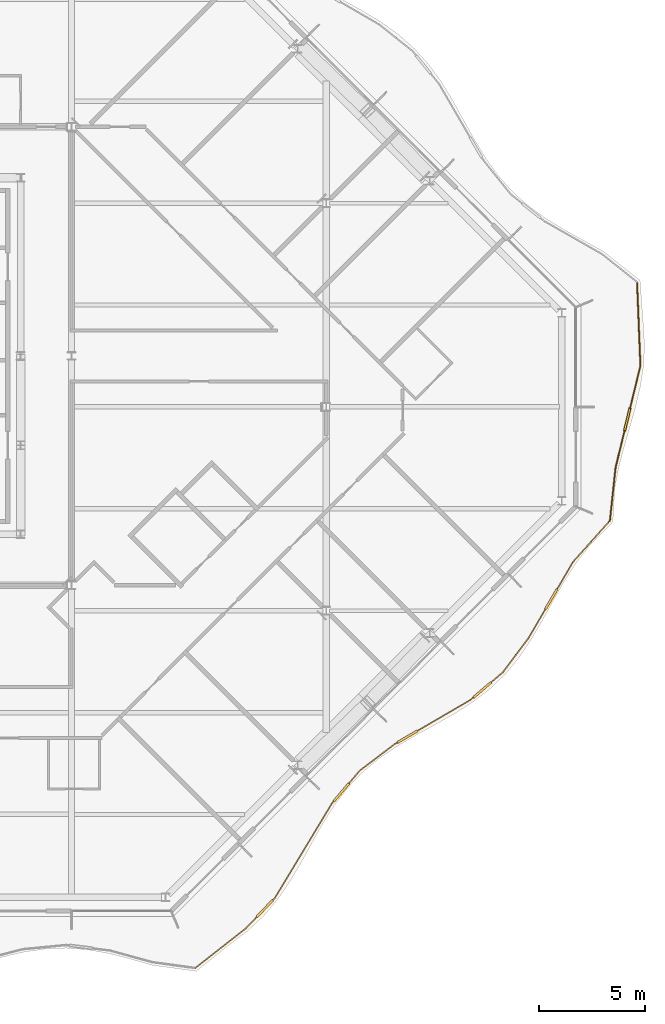
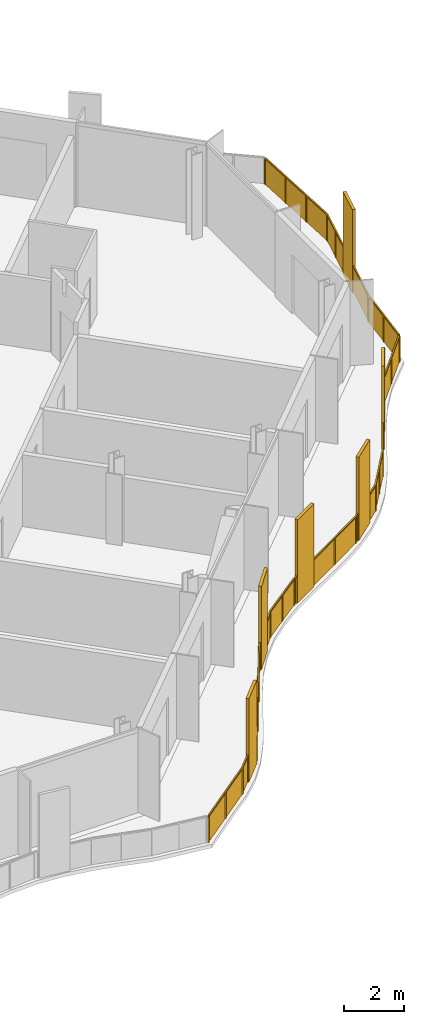
# One storey, part 15 of 17: 2 railings.
"""IFC4 building model written with IfcOpenShell, lengths in metres."""

from ifc_helpers import new_model, si_unit, direction, frame, origin, origin_2d, place, context, subcontext, project, spatial, polyline, rectangle, outline, extrude, material, type_object, element, save


model = new_model("IFC4")

# Units and contexts
model_context = context("Model", 3, precision=1e-05, world=origin(), true_north=direction((0.0, 1.0)))
body_context = subcontext(model_context, "Body", "Model", "MODEL_VIEW")
ifc_project = project(units=[si_unit("LENGTHUNIT", "METRE"), si_unit("AREAUNIT", "SQUARE_METRE"), si_unit("VOLUMEUNIT", "CUBIC_METRE"), si_unit("PLANEANGLEUNIT", "RADIAN"), si_unit("MASSUNIT", "GRAM", prefix="KILO")], contexts=[model_context])

# Site, building, storey
site_placement = place(None, origin())
site = spatial("IfcSite", under=ifc_project, at=site_placement, CompositionType="ELEMENT")
building_placement = place(site_placement, origin())
building = spatial("IfcBuilding", under=site, at=building_placement, Name="Cairn Pilgrim Tower", CompositionType="ELEMENT")
storey_placement = place(building_placement, frame((0.0, 0.0, 246.60009765625)))
storey = spatial("IfcBuildingStorey", under=building, at=storey_placement, Name="L63", CompositionType="ELEMENT", Elevation=246.60009765625)

# Railings
ifc_material = material(Name="Bronze anodised aluminium rail, posts and fin screens with laminated glass infill", Category="aluminium")
railing_type = type_object("IfcRailingType", Name="BALCONY GUARD WITH FIN SCREENS", PredefinedType="GUARDRAIL", material=ifc_material)
railing_1_placement = place(storey_placement, frame((25.030517578125, -26.433349609375, 0.0)))
element("IfcRailing", 1, at=railing_1_placement, inside=storey, type_object=railing_type, Name="Balcony guard BGF-2 with fin screens", PredefinedType="GUARDRAIL", context=body_context, shape_type="SweptSolid", body=[
    extrude(rectangle(XDim=0.050048828125, YDim=0.050048828125, at=origin_2d()), frame((0.0, 0.0, 1.0751953125), z_axis=(0.787027391117, 0.616918054228, 0.0), x_axis=(-0.616918054228, 0.787027391117, 0.0)), (0.0, 0.0, 1.0), 3.032470703125),
    extrude(rectangle(XDim=1.10009765625, YDim=0.110107421875, at=origin_2d()), frame((3.272705078125, 2.801025390625, 0.0), z_axis=(0.0, 0.0, 1.0), x_axis=(0.689673603876, 0.724120376813, 0.0)), (0.0, 0.0, 1.0), 3.39990234375),
    extrude(rectangle(XDim=0.050048828125, YDim=0.050048828125, at=origin_2d()), frame((2.38671875, 1.870849609375, 1.0751953125), z_axis=(0.689673603876, 0.724120376813, 0.0), x_axis=(-0.724120376813, 0.689673603876, 0.0)), (0.0, 0.0, 1.0), 0.734619140625),
    extrude(rectangle(XDim=0.050048828125, YDim=0.050048828125, at=origin_2d()), frame((3.65185546875, 3.19921875, 1.0751953125), z_axis=(0.689673603876, 0.724120376813, 0.0), x_axis=(-0.724120376813, 0.689673603876, 0.0)), (0.0, 0.0, 1.0), 0.14990234375),
    extrude(rectangle(XDim=0.050048828125, YDim=0.050048828125, at=origin_2d()), frame((3.75537109375, 3.307861328125, 1.0751953125), z_axis=(0.516402036809, 0.856346271306, 0.0), x_axis=(-0.856346271306, 0.516402036809, 0.0)), (0.0, 0.0, 1.0), 5.176025390625),
    extrude(rectangle(XDim=1.10009765625, YDim=0.110107421875, at=origin_2d()), frame((6.880859375, 8.274169921875, 0.0), z_axis=(0.0, 0.0, 1.0), x_axis=(0.646556997334, 0.762865682279, 0.0)), (0.0, 0.0, 1.0), 3.39990234375),
    extrude(rectangle(XDim=0.050048828125, YDim=0.050048828125, at=origin_2d()), frame((6.42822265625, 7.740234375, 1.0751953125), z_axis=(0.646556997334, 0.762865682279, 0.0), x_axis=(-0.762865682279, 0.646556997334, 0.0)), (0.0, 0.0, 1.0), 0.14990234375),
    extrude(rectangle(XDim=0.050048828125, YDim=0.050048828125, at=origin_2d()), frame((7.236328125, 8.69384765625, 1.0751953125), z_axis=(0.646556997334, 0.762865682279, 0.0), x_axis=(-0.762865682279, 0.646556997334, 0.0)), (0.0, 0.0, 1.0), 0.796630859375),
    extrude(rectangle(XDim=0.050048828125, YDim=0.050048828125, at=origin_2d()), frame((7.75146484375, 9.301513671875, 1.0751953125), z_axis=(0.796523631749, 0.604607396635, 0.0), x_axis=(-0.604607396635, 0.796523631749, 0.0)), (0.0, 0.0, 1.0), 2.0556640625),
    extrude(rectangle(XDim=1.10009765625, YDim=0.110107421875, at=origin_2d()), frame((9.99365234375, 10.897216796875, 0.0), z_axis=(0.0, 0.0, 1.0), x_axis=(0.863793818224, 0.503845452096, 0.0)), (0.0, 0.0, 1.0), 3.39990234375),
    extrude(rectangle(XDim=0.050048828125, YDim=0.050048828125, at=origin_2d()), frame((9.388916015625, 10.54443359375, 1.0751953125), z_axis=(0.863793818224, 0.503845452096, 0.0), x_axis=(-0.503845452096, 0.863793818224, 0.0)), (0.0, 0.0, 1.0), 0.14990234375),
    extrude(rectangle(XDim=0.050048828125, YDim=0.050048828125, at=origin_2d()), frame((10.46875, 11.17431640625, 1.0751953125), z_axis=(0.863793818224, 0.503845452096, 0.0), x_axis=(-0.503845452096, 0.863793818224, 0.0)), (0.0, 0.0, 1.0), 2.905029296875),
    extrude(rectangle(XDim=1.10009765625, YDim=0.110107421875, at=origin_2d()), frame((13.521728515625, 13.103271484375, 0.0), z_axis=(0.0, 0.0, 1.0), x_axis=(0.759767961962, 0.650194312476, 0.0)), (0.0, 0.0, 1.0), 3.39990234375),
    extrude(rectangle(XDim=0.050048828125, YDim=0.050048828125, at=origin_2d()), frame((12.97802734375, 12.637939453125, 1.0751953125), z_axis=(0.759767961962, 0.650194312476, 0.0), x_axis=(-0.650194312476, 0.759767961962, 0.0)), (0.0, 0.0, 1.0), 0.165771484375),
    extrude(rectangle(XDim=0.050048828125, YDim=0.050048828125, at=origin_2d()), frame((13.939697265625, 13.4609375, 1.0751953125), z_axis=(0.759767961962, 0.650194312476, 0.0), x_axis=(-0.650194312476, 0.759767961962, 0.0)), (0.0, 0.0, 1.0), 0.7216796875),
    extrude(rectangle(XDim=0.050048828125, YDim=0.050048828125, at=origin_2d()), frame((14.488037109375, 13.93017578125, 1.0751953125), z_axis=(0.601011955127, 0.799240032653, 0.0), x_axis=(-0.799240032653, 0.601011955127, 0.0)), (0.0, 0.0, 1.0), 2.00634765625),
    extrude(rectangle(XDim=1.10009765625, YDim=0.110107421875, at=origin_2d()), frame((16.770751953125, 17.377685546875, 0.0), z_axis=(0.0, 0.0, 1.0), x_axis=(0.50434104748, 0.863504549974, 0.0)), (0.0, 0.0, 1.0), 3.39990234375),
    extrude(rectangle(XDim=0.050048828125, YDim=0.050048828125, at=origin_2d()), frame((15.69384765625, 15.53369140625, 1.0751953125), z_axis=(0.50434104748, 0.863504549974, 0.0), x_axis=(-0.863504549974, 0.50434104748, 0.0)), (0.0, 0.0, 1.0), 1.58544921875),
    extrude(rectangle(XDim=0.050048828125, YDim=0.050048828125, at=origin_2d()), frame((17.048095703125, 17.8525390625, 1.0751953125), z_axis=(0.50434104748, 0.863504549974, 0.0), x_axis=(-0.863504549974, 0.50434104748, 0.0)), (0.0, 0.0, 1.0), 1.480224609375),
    extrude(rectangle(XDim=0.050048828125, YDim=0.050048828125, at=origin_2d()), frame((17.794677734375, 19.130615234375, 1.0751953125), z_axis=(0.666806069318, 0.745231283509, 0.0), x_axis=(-0.745231283509, 0.666806069318, 0.0)), (0.0, 0.0, 1.0), 2.54638671875),
    extrude(rectangle(XDim=0.050048828125, YDim=0.050048828125, at=origin_2d()), origin(), (0.0, 0.0, 1.0), 1.050048828125),
    extrude(rectangle(XDim=0.050048828125, YDim=0.050048828125, at=origin_2d()), frame((1.193359375, 0.935546875, 0.0)), (0.0, 0.0, 1.0), 1.050048828125),
    extrude(rectangle(XDim=0.050048828125, YDim=0.050048828125, at=origin_2d()), frame((2.38671875, 1.870849609375, 0.0)), (0.0, 0.0, 1.0), 1.050048828125),
    extrude(rectangle(XDim=0.050048828125, YDim=0.050048828125, at=origin_2d()), frame((2.8759765625, 2.384521484375, 0.0)), (0.0, 0.0, 1.0), 1.050048828125),
    extrude(rectangle(XDim=0.050048828125, YDim=0.050048828125, at=origin_2d()), frame((3.669189453125, 3.21728515625, 0.0)), (0.0, 0.0, 1.0), 1.050048828125),
    extrude(rectangle(XDim=0.050048828125, YDim=0.050048828125, at=origin_2d()), frame((3.75537109375, 3.307861328125, 0.0)), (0.0, 0.0, 1.0), 1.050048828125),
    extrude(rectangle(XDim=0.050048828125, YDim=0.050048828125, at=origin_2d()), frame((4.646240234375, 4.785400390625, 0.0)), (0.0, 0.0, 1.0), 1.050048828125),
    extrude(rectangle(XDim=0.050048828125, YDim=0.050048828125, at=origin_2d()), frame((5.537353515625, 6.2626953125, 0.0)), (0.0, 0.0, 1.0), 1.050048828125),
    extrude(rectangle(XDim=0.050048828125, YDim=0.050048828125, at=origin_2d()), frame((6.42822265625, 7.740234375, 0.0)), (0.0, 0.0, 1.0), 1.050048828125),
    extrude(rectangle(XDim=0.050048828125, YDim=0.050048828125, at=origin_2d()), frame((6.509033203125, 7.83544921875, 0.0)), (0.0, 0.0, 1.0), 1.050048828125),
    extrude(rectangle(XDim=0.050048828125, YDim=0.050048828125, at=origin_2d()), frame((7.25244140625, 8.712890625, 0.0)), (0.0, 0.0, 1.0), 1.050048828125),
    extrude(rectangle(XDim=0.050048828125, YDim=0.050048828125, at=origin_2d()), frame((7.75146484375, 9.301513671875, 0.0)), (0.0, 0.0, 1.0), 1.050048828125),
    extrude(rectangle(XDim=0.050048828125, YDim=0.050048828125, at=origin_2d()), frame((8.5703125, 9.9228515625, 0.0)), (0.0, 0.0, 1.0), 1.050048828125),
    extrude(rectangle(XDim=0.050048828125, YDim=0.050048828125, at=origin_2d()), frame((9.388916015625, 10.54443359375, 0.0)), (0.0, 0.0, 1.0), 1.050048828125),
    extrude(rectangle(XDim=0.050048828125, YDim=0.050048828125, at=origin_2d()), frame((9.496826171875, 10.607421875, 0.0)), (0.0, 0.0, 1.0), 1.050048828125),
    extrude(rectangle(XDim=0.050048828125, YDim=0.050048828125, at=origin_2d()), frame((10.490234375, 11.186767578125, 0.0)), (0.0, 0.0, 1.0), 1.050048828125),
    extrude(rectangle(XDim=0.050048828125, YDim=0.050048828125, at=origin_2d()), frame((11.734130859375, 11.912353515625, 0.0)), (0.0, 0.0, 1.0), 1.050048828125),
    extrude(rectangle(XDim=0.050048828125, YDim=0.050048828125, at=origin_2d()), frame((12.97802734375, 12.637939453125, 0.0)), (0.0, 0.0, 1.0), 1.050048828125),
    extrude(rectangle(XDim=0.050048828125, YDim=0.050048828125, at=origin_2d()), frame((13.0849609375, 12.7294921875, 0.0)), (0.0, 0.0, 1.0), 1.050048828125),
    extrude(rectangle(XDim=0.050048828125, YDim=0.050048828125, at=origin_2d()), frame((13.958740234375, 13.477294921875, 0.0)), (0.0, 0.0, 1.0), 1.050048828125),
    extrude(rectangle(XDim=0.050048828125, YDim=0.050048828125, at=origin_2d()), frame((14.488037109375, 13.93017578125, 0.0)), (0.0, 0.0, 1.0), 1.050048828125),
    extrude(rectangle(XDim=0.050048828125, YDim=0.050048828125, at=origin_2d()), frame((15.0908203125, 14.73193359375, 0.0)), (0.0, 0.0, 1.0), 1.050048828125),
    extrude(rectangle(XDim=0.050048828125, YDim=0.050048828125, at=origin_2d()), frame((15.69384765625, 15.53369140625, 0.0)), (0.0, 0.0, 1.0), 1.050048828125),
    extrude(rectangle(XDim=0.050048828125, YDim=0.050048828125, at=origin_2d()), frame((16.480712890625, 16.881103515625, 0.0)), (0.0, 0.0, 1.0), 1.050048828125),
    extrude(rectangle(XDim=0.050048828125, YDim=0.050048828125, at=origin_2d()), frame((17.060791015625, 17.8740234375, 0.0)), (0.0, 0.0, 1.0), 1.050048828125),
    extrude(rectangle(XDim=0.050048828125, YDim=0.050048828125, at=origin_2d()), frame((17.794677734375, 19.130615234375, 0.0)), (0.0, 0.0, 1.0), 1.050048828125),
    extrude(rectangle(XDim=0.050048828125, YDim=0.050048828125, at=origin_2d()), frame((18.6435546875, 20.07958984375, 0.0)), (0.0, 0.0, 1.0), 1.050048828125),
    extrude(rectangle(XDim=0.050048828125, YDim=0.050048828125, at=origin_2d()), frame((19.49267578125, 21.0283203125, 0.0)), (0.0, 0.0, 1.0), 1.050048828125),
    extrude(outline(polyline([(0.02490234375, 0.0), (1.4912109375, 0.0), (1.4912109375, 1.050048828125), (0.02490234375, 1.050048828125), (0.02490234375, 0.0)])), frame((-0.003662109375, 0.004638671875, 0.0), z_axis=(0.616918054228, -0.787027391117, 0.0), x_axis=(0.787027391117, 0.616918054228, 0.0)), (0.0, 0.0, 1.0), 0.011962890625),
    extrude(outline(polyline([(0.02490234375, 0.0), (1.4912109375, 0.0), (1.4912109375, 1.050048828125), (0.02490234375, 1.050048828125), (0.02490234375, 0.0)])), frame((1.189697265625, 0.940185546875, 0.0), z_axis=(0.616918054228, -0.787027391117, 0.0), x_axis=(0.787027391117, 0.616918054228, 0.0)), (0.0, 0.0, 1.0), 0.011962890625),
    extrude(outline(polyline([(0.02490234375, 0.0), (0.6845703125, 0.0), (0.6845703125, 1.050048828125), (0.02490234375, 1.050048828125), (0.02490234375, 0.0)])), frame((2.38232421875, 1.875, 0.0), z_axis=(0.724120376813, -0.689673603876, 0.0), x_axis=(0.689673603876, 0.724120376813, 0.0)), (0.0, 0.0, 1.0), 0.011962890625),
    extrude(outline(polyline([(0.02490234375, 0.0), (0.099853515625, 0.0), (0.099853515625, 1.050048828125), (0.02490234375, 1.050048828125), (0.02490234375, 0.0)])), frame((3.664794921875, 3.221435546875, 0.0), z_axis=(0.724120376813, -0.689673603876, 0.0), x_axis=(0.689673603876, 0.724120376813, 0.0)), (0.0, 0.0, 1.0), 0.011962890625),
    extrude(outline(polyline([(0.02490234375, 0.0), (1.7001953125, 0.0), (1.7001953125, 1.050048828125), (0.02490234375, 1.050048828125), (0.02490234375, 0.0)])), frame((3.750244140625, 3.31103515625, 0.0), z_axis=(0.856346271306, -0.516402036809, 0.0), x_axis=(0.516402036809, 0.856346271306, 0.0)), (0.0, 0.0, 1.0), 0.011962890625),
    extrude(outline(polyline([(0.02490234375, 0.0), (1.7001953125, 0.0), (1.7001953125, 1.050048828125), (0.02490234375, 1.050048828125), (0.02490234375, 0.0)])), frame((4.64111328125, 4.788330078125, 0.0), z_axis=(0.856346271306, -0.516402036809, 0.0), x_axis=(0.516402036809, 0.856346271306, 0.0)), (0.0, 0.0, 1.0), 0.011962890625),
    extrude(outline(polyline([(0.02490234375, 0.0), (1.7001953125, 0.0), (1.7001953125, 1.050048828125), (0.02490234375, 1.050048828125), (0.02490234375, 0.0)])), frame((5.5322265625, 6.265869140625, 0.0), z_axis=(0.856346271306, -0.516402036809, 0.0), x_axis=(0.516402036809, 0.856346271306, 0.0)), (0.0, 0.0, 1.0), 0.011962890625),
    extrude(outline(polyline([(0.02490234375, 0.0), (0.099853515625, 0.0), (0.099853515625, 1.050048828125), (0.02490234375, 1.050048828125), (0.02490234375, 0.0)])), frame((6.423583984375, 7.744140625, 0.0), z_axis=(0.762865682279, -0.646556997334, 0.0), x_axis=(0.646556997334, 0.762865682279, 0.0)), (0.0, 0.0, 1.0), 0.011962890625),
    extrude(outline(polyline([(0.02490234375, 0.0), (0.74658203125, 0.0), (0.74658203125, 1.050048828125), (0.02490234375, 1.050048828125), (0.02490234375, 0.0)])), frame((7.248046875, 8.716796875, 0.0), z_axis=(0.762865682279, -0.646556997334, 0.0), x_axis=(0.646556997334, 0.762865682279, 0.0)), (0.0, 0.0, 1.0), 0.011962890625),
    extrude(outline(polyline([(0.02490234375, 0.0), (1.0029296875, 0.0), (1.0029296875, 1.050048828125), (0.02490234375, 1.050048828125), (0.02490234375, 0.0)])), frame((7.747802734375, 9.306396484375, 0.0), z_axis=(0.604607396635, -0.796523631749, 0.0), x_axis=(0.796523631749, 0.604607396635, 0.0)), (0.0, 0.0, 1.0), 0.011962890625),
    extrude(outline(polyline([(0.02490234375, 0.0), (1.0029296875, 0.0), (1.0029296875, 1.050048828125), (0.02490234375, 1.050048828125), (0.02490234375, 0.0)])), frame((8.566650390625, 9.927734375, 0.0), z_axis=(0.604607396635, -0.796523631749, 0.0), x_axis=(0.796523631749, 0.604607396635, 0.0)), (0.0, 0.0, 1.0), 0.011962890625),
    extrude(outline(polyline([(0.02490234375, 0.0), (0.099853515625, 0.0), (0.099853515625, 1.050048828125), (0.02490234375, 1.050048828125), (0.02490234375, 0.0)])), frame((9.385986328125, 10.549560546875, 0.0), z_axis=(0.503845452096, -0.863793818224, 0.0), x_axis=(0.863793818224, 0.503845452096, 0.0)), (0.0, 0.0, 1.0), 0.011962890625),
    extrude(outline(polyline([(0.02490234375, 0.0), (1.4150390625, 0.0), (1.4150390625, 1.050048828125), (0.02490234375, 1.050048828125), (0.02490234375, 0.0)])), frame((10.4873046875, 11.19189453125, 0.0), z_axis=(0.503845452096, -0.863793818224, 0.0), x_axis=(0.863793818224, 0.503845452096, 0.0)), (0.0, 0.0, 1.0), 0.011962890625),
    extrude(outline(polyline([(0.02490234375, 0.0), (1.4150390625, 0.0), (1.4150390625, 1.050048828125), (0.02490234375, 1.050048828125), (0.02490234375, 0.0)])), frame((11.731201171875, 11.91748046875, 0.0), z_axis=(0.503845452096, -0.863793818224, 0.0), x_axis=(0.863793818224, 0.503845452096, 0.0)), (0.0, 0.0, 1.0), 0.011962890625),
    extrude(outline(polyline([(0.02490234375, 0.0), (0.11572265625, 0.0), (0.11572265625, 1.050048828125), (0.02490234375, 1.050048828125), (0.02490234375, 0.0)])), frame((12.97412109375, 12.642578125, 0.0), z_axis=(0.650194312476, -0.759767961962, 0.0), x_axis=(0.759767961962, 0.650194312476, 0.0)), (0.0, 0.0, 1.0), 0.011962890625),
    extrude(outline(polyline([(0.02490234375, 0.0), (0.671630859375, 0.0), (0.671630859375, 1.050048828125), (0.02490234375, 1.050048828125), (0.02490234375, 0.0)])), frame((13.954833984375, 13.481689453125, 0.0), z_axis=(0.650194312476, -0.759767961962, 0.0), x_axis=(0.759767961962, 0.650194312476, 0.0)), (0.0, 0.0, 1.0), 0.011962890625),
    extrude(outline(polyline([(0.02490234375, 0.0), (0.97802734375, 0.0), (0.97802734375, 1.050048828125), (0.02490234375, 1.050048828125), (0.02490234375, 0.0)])), frame((14.483154296875, 13.933837890625, 0.0), z_axis=(0.799240032653, -0.601011955127, 0.0), x_axis=(0.601011955127, 0.799240032653, 0.0)), (0.0, 0.0, 1.0), 0.011962890625),
    extrude(outline(polyline([(0.02490234375, 0.0), (0.97802734375, 0.0), (0.97802734375, 1.050048828125), (0.02490234375, 1.050048828125), (0.02490234375, 0.0)])), frame((15.086181640625, 14.735595703125, 0.0), z_axis=(0.799240032653, -0.601011955127, 0.0), x_axis=(0.601011955127, 0.799240032653, 0.0)), (0.0, 0.0, 1.0), 0.011962890625),
    extrude(outline(polyline([(0.02490234375, 0.0), (1.535400390625, 0.0), (1.535400390625, 1.050048828125), (0.02490234375, 1.050048828125), (0.02490234375, 0.0)])), frame((15.688720703125, 15.53662109375, 0.0), z_axis=(0.863504549974, -0.50434104748, 0.0), x_axis=(0.50434104748, 0.863504549974, 0.0)), (0.0, 0.0, 1.0), 0.011962890625),
    extrude(outline(polyline([(0.02490234375, 0.0), (1.43017578125, 0.0), (1.43017578125, 1.050048828125), (0.02490234375, 1.050048828125), (0.02490234375, 0.0)])), frame((17.0556640625, 17.877197265625, 0.0), z_axis=(0.863504549974, -0.50434104748, 0.0), x_axis=(0.50434104748, 0.863504549974, 0.0)), (0.0, 0.0, 1.0), 0.011962890625),
    extrude(outline(polyline([(0.02490234375, 0.0), (1.248291015625, 0.0), (1.248291015625, 1.050048828125), (0.02490234375, 1.050048828125), (0.02490234375, 0.0)])), frame((17.790283203125, 19.134521484375, 0.0), z_axis=(0.745231283509, -0.666806069318, 0.0), x_axis=(0.666806069318, 0.745231283509, 0.0)), (0.0, 0.0, 1.0), 0.011962890625),
    extrude(outline(polyline([(0.02490234375, 0.0), (1.248291015625, 0.0), (1.248291015625, 1.050048828125), (0.02490234375, 1.050048828125), (0.02490234375, 0.0)])), frame((18.63916015625, 20.08349609375, 0.0), z_axis=(0.745231283509, -0.666806069318, 0.0), x_axis=(0.666806069318, 0.745231283509, 0.0)), (0.0, 0.0, 1.0), 0.011962890625),
])
railing_2_placement = place(storey_placement, frame((44.563232421875, -5.3603515625, 0.0)))
element("IfcRailing", 2, at=railing_2_placement, inside=storey, type_object=railing_type, Name="Balcony guard BGF-3 with fin screens", PredefinedType="GUARDRAIL", context=body_context, shape_type="SweptSolid", body=[
    extrude(rectangle(XDim=0.050048828125, YDim=0.050048828125, at=origin_2d()), frame((0.0, 0.0, 1.0751953125), z_axis=(0.106348447091, 0.994328923345, 0.0), x_axis=(-0.994328923345, 0.106348447091, 0.0)), (0.0, 0.0, 1.0), 2.520751953125),
    extrude(rectangle(XDim=1.10009765625, YDim=0.110107421875, at=origin_2d()), frame((0.819580078125, 4.7666015625, 0.0), z_axis=(0.0, 0.0, 1.0), x_axis=(0.237078170464, 0.971490576943, 0.0)), (0.0, 0.0, 1.0), 3.39990234375),
    extrude(rectangle(XDim=0.050048828125, YDim=0.050048828125, at=origin_2d()), frame((0.26806640625, 2.50634765625, 1.0751953125), z_axis=(0.237078170464, 0.971490576943, 0.0), x_axis=(-0.971490576943, 0.237078170464, 0.0)), (0.0, 0.0, 1.0), 1.776611328125),
    extrude(rectangle(XDim=0.050048828125, YDim=0.050048828125, at=origin_2d()), frame((0.949951171875, 5.30078125, 1.0751953125), z_axis=(0.237078170464, 0.971490576943, 0.0), x_axis=(-0.971490576943, 0.237078170464, 0.0)), (0.0, 0.0, 1.0), 2.052978515625),
    extrude(rectangle(XDim=0.050048828125, YDim=0.050048828125, at=origin_2d()), frame((1.436767578125, 7.29541015625, 1.0751953125), z_axis=(-0.039797570151, 0.999207762885, 0.0), x_axis=(-0.999207762885, -0.039797570151, 0.0)), (0.0, 0.0, 1.0), 3.889404296875),
    extrude(rectangle(XDim=0.050048828125, YDim=0.050048828125, at=origin_2d()), origin(), (0.0, 0.0, 1.0), 1.050048828125),
    extrude(rectangle(XDim=0.050048828125, YDim=0.050048828125, at=origin_2d()), frame((0.134033203125, 1.253173828125, 0.0)), (0.0, 0.0, 1.0), 1.050048828125),
    extrude(rectangle(XDim=0.050048828125, YDim=0.050048828125, at=origin_2d()), frame((0.26806640625, 2.50634765625, 0.0)), (0.0, 0.0, 1.0), 1.050048828125),
    extrude(rectangle(XDim=0.050048828125, YDim=0.050048828125, at=origin_2d()), frame((0.683349609375, 4.2080078125, 0.0)), (0.0, 0.0, 1.0), 1.050048828125),
    extrude(rectangle(XDim=0.050048828125, YDim=0.050048828125, at=origin_2d()), frame((0.9560546875, 5.3251953125, 0.0)), (0.0, 0.0, 1.0), 1.050048828125),
    extrude(rectangle(XDim=0.050048828125, YDim=0.050048828125, at=origin_2d()), frame((1.1962890625, 6.310302734375, 0.0)), (0.0, 0.0, 1.0), 1.050048828125),
    extrude(rectangle(XDim=0.050048828125, YDim=0.050048828125, at=origin_2d()), frame((1.436767578125, 7.29541015625, 0.0)), (0.0, 0.0, 1.0), 1.050048828125),
    extrude(rectangle(XDim=0.050048828125, YDim=0.050048828125, at=origin_2d()), frame((1.38525390625, 8.5908203125, 0.0)), (0.0, 0.0, 1.0), 1.050048828125),
    extrude(rectangle(XDim=0.050048828125, YDim=0.050048828125, at=origin_2d()), frame((1.33349609375, 9.88623046875, 0.0)), (0.0, 0.0, 1.0), 1.050048828125),
    extrude(rectangle(XDim=0.050048828125, YDim=0.050048828125, at=origin_2d()), frame((1.281982421875, 11.181640625, 0.0)), (0.0, 0.0, 1.0), 1.050048828125),
    extrude(outline(polyline([(0.02490234375, 0.0), (1.2353515625, 0.0), (1.2353515625, 1.050048828125), (0.02490234375, 1.050048828125), (0.02490234375, 0.0)])), frame((-0.005859375, 0.000732421875, 0.0), z_axis=(0.994328923345, -0.106348447091, 0.0), x_axis=(0.106348447091, 0.994328923345, 0.0)), (0.0, 0.0, 1.0), 0.011962890625),
    extrude(outline(polyline([(0.02490234375, 0.0), (1.2353515625, 0.0), (1.2353515625, 1.050048828125), (0.02490234375, 1.050048828125), (0.02490234375, 0.0)])), frame((0.128173828125, 1.25390625, 0.0), z_axis=(0.994328923345, -0.106348447091, 0.0), x_axis=(0.106348447091, 0.994328923345, 0.0)), (0.0, 0.0, 1.0), 0.011962890625),
    extrude(outline(polyline([(0.02490234375, 0.0), (1.7265625, 0.0), (1.7265625, 1.050048828125), (0.02490234375, 1.050048828125), (0.02490234375, 0.0)])), frame((0.26220703125, 2.5078125, 0.0), z_axis=(0.971490576943, -0.237078170464, 0.0), x_axis=(0.237078170464, 0.971490576943, 0.0)), (0.0, 0.0, 1.0), 0.011962890625),
    extrude(outline(polyline([(0.02490234375, 0.0), (0.989013671875, 0.0), (0.989013671875, 1.050048828125), (0.02490234375, 1.050048828125), (0.02490234375, 0.0)])), frame((0.9501953125, 5.32666015625, 0.0), z_axis=(0.971490576943, -0.237078170464, 0.0), x_axis=(0.237078170464, 0.971490576943, 0.0)), (0.0, 0.0, 1.0), 0.011962890625),
    extrude(outline(polyline([(0.02490234375, 0.0), (0.989013671875, 0.0), (0.989013671875, 1.050048828125), (0.02490234375, 1.050048828125), (0.02490234375, 0.0)])), frame((1.190673828125, 6.311767578125, 0.0), z_axis=(0.971490576943, -0.237078170464, 0.0), x_axis=(0.237078170464, 0.971490576943, 0.0)), (0.0, 0.0, 1.0), 0.011962890625),
    extrude(outline(polyline([(0.02490234375, 0.0), (1.271484375, 0.0), (1.271484375, 1.050048828125), (0.02490234375, 1.050048828125), (0.02490234375, 0.0)])), frame((1.430908203125, 7.295166015625, 0.0), z_axis=(0.999207762885, 0.039797570151, 0.0), x_axis=(-0.039797570151, 0.999207762885, 0.0)), (0.0, 0.0, 1.0), 0.011962890625),
    extrude(outline(polyline([(0.02490234375, 0.0), (1.271484375, 0.0), (1.271484375, 1.050048828125), (0.02490234375, 1.050048828125), (0.02490234375, 0.0)])), frame((1.379150390625, 8.590576171875, 0.0), z_axis=(0.999207762885, 0.039797570151, 0.0), x_axis=(-0.039797570151, 0.999207762885, 0.0)), (0.0, 0.0, 1.0), 0.011962890625),
    extrude(outline(polyline([(0.02490234375, 0.0), (1.271484375, 0.0), (1.271484375, 1.050048828125), (0.02490234375, 1.050048828125), (0.02490234375, 0.0)])), frame((1.32763671875, 9.885986328125, 0.0), z_axis=(0.999207762885, 0.039797570151, 0.0), x_axis=(-0.039797570151, 0.999207762885, 0.0)), (0.0, 0.0, 1.0), 0.011962890625),
])

save(model, "model.ifc")
